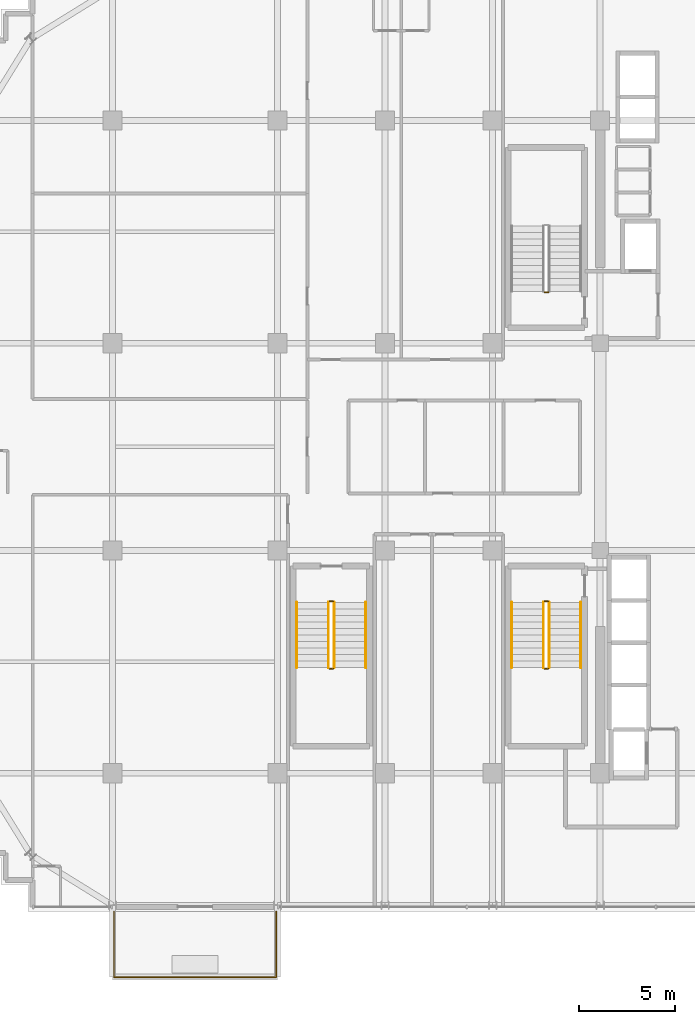
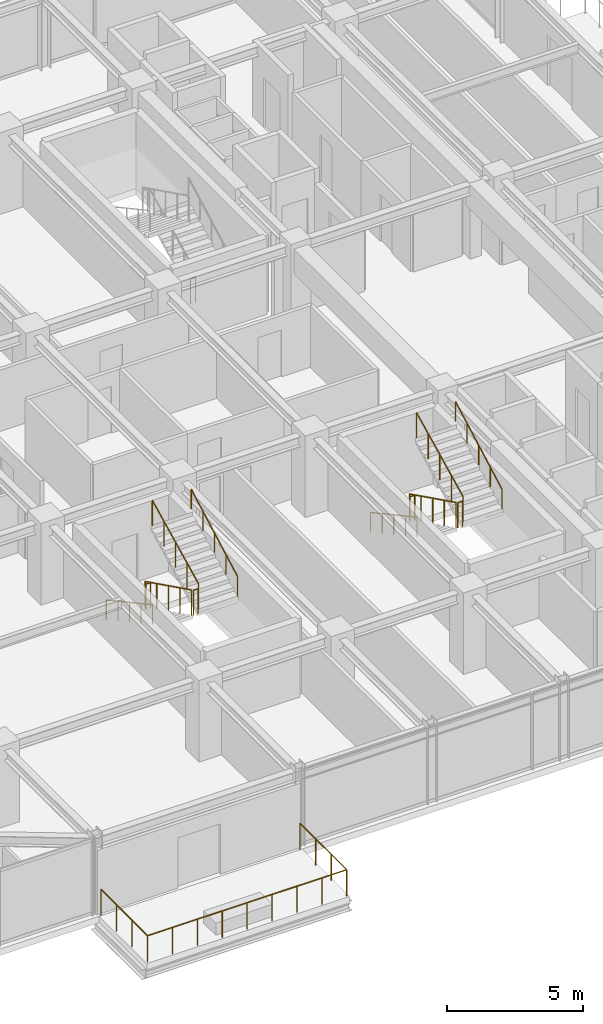
# One storey, part 34 of 36: 14 railings.
"""IFC4 building model written with IfcOpenShell, lengths in metres."""

from ifc_helpers import new_model, si_unit, direction, frame, origin, origin_2d, place, context, subcontext, project, spatial, circle, extrude, material, type_object, element, save


model = new_model("IFC4")

# Units and contexts
model_context = context("Model", 3, precision=1e-05, world=origin(), true_north=direction((0.0, 1.0)))
body_context = subcontext(model_context, "Body", "Model", "MODEL_VIEW")
ifc_project = project(units=[si_unit("LENGTHUNIT", "METRE"), si_unit("AREAUNIT", "SQUARE_METRE"), si_unit("VOLUMEUNIT", "CUBIC_METRE"), si_unit("PLANEANGLEUNIT", "RADIAN"), si_unit("MASSUNIT", "GRAM", prefix="KILO")], contexts=[model_context])

# Site, building, storey
site_placement = place(None, origin())
site = spatial("IfcSite", under=ifc_project, at=site_placement, CompositionType="ELEMENT")
building_placement = place(site_placement, origin())
building = spatial("IfcBuilding", under=site, at=building_placement, Name="Nahalor Promenade Grand Hotel", CompositionType="ELEMENT")
storey_placement = place(building_placement, frame((0.0, 0.0, 223.39990234375)))
storey = spatial("IfcBuildingStorey", under=building, at=storey_placement, Name="L57", CompositionType="ELEMENT", Elevation=223.39990234375)

# Railings
ifc_material_1 = material(Name="Anodised Bronze Aluminium EN AW-6063 T6", Category="aluminium")
railing_type_1 = type_object("IfcRailingType", Name="Bronze Balcony Guardrail 1200 mm", PredefinedType="GUARDRAIL", material=ifc_material_1)
railing_1_placement = place(storey_placement, frame((-16.919921875, -24.199951171875, 0.0)))
element("IfcRailing", 1, at=railing_1_placement, inside=storey, type_object=railing_type_1, Name="L57 Balcony Guardrail 1", PredefinedType="GUARDRAIL", context=body_context, shape_type="SweptSolid", body=[
    extrude(circle(Radius=0.024048, at=origin_2d()), frame((0.0, 0.0, 1.17578125), z_axis=(0.0, -1.0, 0.0), x_axis=(1.0, 0.0, 0.0)), (0.0, 0.0, 1.0), 3.418212890625),
    extrude(circle(Radius=0.024048, at=origin_2d()), frame((0.001953125, -3.420166015625, 1.17578125), z_axis=(1.0, 0.0, 0.0), x_axis=(0.0, 1.0, 0.0)), (0.0, 0.0, 1.0), 8.43603515625),
    extrude(circle(Radius=0.024048, at=origin_2d()), frame((8.43994140625, -3.418212890625, 1.17578125), z_axis=(0.0, 1.0, 0.0), x_axis=(-1.0, 0.0, 0.0)), (0.0, 0.0, 1.0), 3.418212890625),
    extrude(circle(Radius=0.020996, at=origin_2d()), origin(), (0.0, 0.0, 1.0), 1.14990234375),
    extrude(circle(Radius=0.020996, at=origin_2d()), frame((0.0, -1.14013671875, 0.0)), (0.0, 0.0, 1.0), 1.14990234375),
    extrude(circle(Radius=0.020996, at=origin_2d()), frame((0.0, -2.280029296875, 0.0)), (0.0, 0.0, 1.0), 1.14990234375),
    extrude(circle(Radius=0.020996, at=origin_2d()), frame((0.0, -3.420166015625, 0.0)), (0.0, 0.0, 1.0), 1.14990234375),
    extrude(circle(Radius=0.020996, at=origin_2d()), frame((1.054931640625, -3.420166015625, 0.0)), (0.0, 0.0, 1.0), 1.14990234375),
    extrude(circle(Radius=0.020996, at=origin_2d()), frame((2.10986328125, -3.420166015625, 0.0)), (0.0, 0.0, 1.0), 1.14990234375),
    extrude(circle(Radius=0.020996, at=origin_2d()), frame((3.1650390625, -3.420166015625, 0.0)), (0.0, 0.0, 1.0), 1.14990234375),
    extrude(circle(Radius=0.020996, at=origin_2d()), frame((4.219970703125, -3.420166015625, 0.0)), (0.0, 0.0, 1.0), 1.14990234375),
    extrude(circle(Radius=0.020996, at=origin_2d()), frame((5.27490234375, -3.420166015625, 0.0)), (0.0, 0.0, 1.0), 1.14990234375),
    extrude(circle(Radius=0.020996, at=origin_2d()), frame((6.330078125, -3.420166015625, 0.0)), (0.0, 0.0, 1.0), 1.14990234375),
    extrude(circle(Radius=0.020996, at=origin_2d()), frame((7.385009765625, -3.420166015625, 0.0)), (0.0, 0.0, 1.0), 1.14990234375),
    extrude(circle(Radius=0.020996, at=origin_2d()), frame((8.43994140625, -3.420166015625, 0.0)), (0.0, 0.0, 1.0), 1.14990234375),
    extrude(circle(Radius=0.020996, at=origin_2d()), frame((8.43994140625, -2.280029296875, 0.0)), (0.0, 0.0, 1.0), 1.14990234375),
    extrude(circle(Radius=0.020996, at=origin_2d()), frame((8.43994140625, -1.14013671875, 0.0)), (0.0, 0.0, 1.0), 1.14990234375),
    extrude(circle(Radius=0.020996, at=origin_2d()), frame((8.43994140625, 0.0, 0.0)), (0.0, 0.0, 1.0), 1.14990234375),
])
ifc_material_2 = material(Name="Steel S355JR", Category="steel")
railing_type_2 = type_object("IfcRailingType", Name="Steel Stair Guardrail 1150 mm", PredefinedType="GUARDRAIL", material=ifc_material_2)
railing_2_placement = place(storey_placement, frame((5.699951171875, 8.050048828125, 0.0)))
element("IfcRailing", 2, at=railing_2_placement, inside=storey, type_object=railing_type_2, Name="L57 ST1 stair guard 4", PredefinedType="GUARDRAIL", context=body_context, shape_type="SweptSolid", body=[
    extrude(circle(Radius=0.024048, at=origin_2d()), frame((0.0, 0.0, 1.1259765625), z_axis=(-1.0, 0.0, 0.0), x_axis=(0.0, -1.0, 0.0)), (0.0, 0.0, 1.0), 0.199951171875),
    extrude(circle(Radius=0.020996, at=origin_2d()), origin(), (0.0, 0.0, 1.0), 1.099853515625),
    extrude(circle(Radius=0.020996, at=origin_2d()), frame((-0.199951171875, 0.0, 0.0)), (0.0, 0.0, 1.0), 1.099853515625),
])
railing_3_placement = place(storey_placement, frame((5.449951171875, -8.10009765625, 0.168212890625)))
element("IfcRailing", 3, at=railing_3_placement, inside=storey, type_object=railing_type_2, Name="L57 ST2 stair guard 1", PredefinedType="GUARDRAIL", context=body_context, shape_type="SweptSolid", body=[
    extrude(circle(Radius=0.024048, at=origin_2d()), frame((0.0, 0.0, 1.1259765625), z_axis=(0.0, -0.896324230515, 0.443399226197), x_axis=(1.0, 0.0, 0.0)), (0.0, 0.0, 1.0), 3.793212890625),
    extrude(circle(Radius=0.020996, at=origin_2d()), origin(), (0.0, 0.0, 1.0), 1.099853515625),
    extrude(circle(Radius=0.020996, at=origin_2d()), frame((0.0, -0.85009765625, 0.42041015625)), (0.0, 0.0, 1.0), 1.099853515625),
    extrude(circle(Radius=0.020996, at=origin_2d()), frame((0.0, -1.699951171875, 0.8408203125)), (0.0, 0.0, 1.0), 1.099853515625),
    extrude(circle(Radius=0.020996, at=origin_2d()), frame((0.0, -2.5498046875, 1.261474609375)), (0.0, 0.0, 1.0), 1.099853515625),
    extrude(circle(Radius=0.020996, at=origin_2d()), frame((0.0, -3.39990234375, 1.681884765625)), (0.0, 0.0, 1.0), 1.099853515625),
])
railing_4_placement = place(storey_placement, frame((5.5, -11.550048828125, 1.85009765625)))
element("IfcRailing", 4, at=railing_4_placement, inside=storey, type_object=railing_type_2, Name="L57 ST2 stair guard 2", PredefinedType="GUARDRAIL", context=body_context, shape_type="SweptSolid", body=[
    extrude(circle(Radius=0.024048, at=origin_2d()), frame((0.0, 0.0, 1.1259765625), z_axis=(1.0, 0.0, 0.0), x_axis=(0.0, 1.0, 0.0)), (0.0, 0.0, 1.0), 0.199951171875),
    extrude(circle(Radius=0.020996, at=origin_2d()), origin(), (0.0, 0.0, 1.0), 1.099853515625),
    extrude(circle(Radius=0.020996, at=origin_2d()), frame((0.199951171875, 0.0, 0.0)), (0.0, 0.0, 1.0), 1.099853515625),
])
railing_5_placement = place(storey_placement, frame((5.75, -11.5, 2.018310546875)))
element("IfcRailing", 5, at=railing_5_placement, inside=storey, type_object=railing_type_2, Name="L57 ST2 stair guard 3", PredefinedType="GUARDRAIL", context=body_context, shape_type="SweptSolid", body=[
    extrude(circle(Radius=0.024048, at=origin_2d()), frame((0.0, 0.0, 1.1259765625), z_axis=(0.0, 0.896324230515, 0.443399226197), x_axis=(-1.0, 0.0, 0.0)), (0.0, 0.0, 1.0), 3.793212890625),
    extrude(circle(Radius=0.020996, at=origin_2d()), origin(), (0.0, 0.0, 1.0), 1.099853515625),
    extrude(circle(Radius=0.020996, at=origin_2d()), frame((0.0, 0.85009765625, 0.42041015625)), (0.0, 0.0, 1.0), 1.099853515625),
    extrude(circle(Radius=0.020996, at=origin_2d()), frame((0.0, 1.699951171875, 0.8408203125)), (0.0, 0.0, 1.0), 1.099853515625),
    extrude(circle(Radius=0.020996, at=origin_2d()), frame((0.0, 2.5498046875, 1.261474609375)), (0.0, 0.0, 1.0), 1.099853515625),
    extrude(circle(Radius=0.020996, at=origin_2d()), frame((0.0, 3.39990234375, 1.681884765625)), (0.0, 0.0, 1.0), 1.099853515625),
])
railing_6_placement = place(storey_placement, frame((5.5, -8.050048828125, 0.0)))
element("IfcRailing", 6, at=railing_6_placement, inside=storey, type_object=railing_type_2, Name="L57 ST2 stair guard 4", PredefinedType="GUARDRAIL", context=body_context, shape_type="SweptSolid", body=[
    extrude(circle(Radius=0.024048, at=origin_2d()), frame((0.0, 0.0, 1.1259765625), z_axis=(1.0, 0.0, 0.0), x_axis=(0.0, 1.0, 0.0)), (0.0, 0.0, 1.0), 0.199951171875),
    extrude(circle(Radius=0.020996, at=origin_2d()), origin(), (0.0, 0.0, 1.0), 1.099853515625),
    extrude(circle(Radius=0.020996, at=origin_2d()), frame((0.199951171875, 0.0, 0.0)), (0.0, 0.0, 1.0), 1.099853515625),
])
railing_7_placement = place(storey_placement, frame((-5.75, -8.10009765625, 0.168212890625)))
element("IfcRailing", 7, at=railing_7_placement, inside=storey, type_object=railing_type_2, Name="L57 ST3 stair guard 1", PredefinedType="GUARDRAIL", context=body_context, shape_type="SweptSolid", body=[
    extrude(circle(Radius=0.024048, at=origin_2d()), frame((0.0, 0.0, 1.1259765625), z_axis=(0.0, -0.896324230515, 0.443399226197), x_axis=(1.0, 0.0, 0.0)), (0.0, 0.0, 1.0), 3.793212890625),
    extrude(circle(Radius=0.020996, at=origin_2d()), origin(), (0.0, 0.0, 1.0), 1.099853515625),
    extrude(circle(Radius=0.020996, at=origin_2d()), frame((0.0, -0.85009765625, 0.42041015625)), (0.0, 0.0, 1.0), 1.099853515625),
    extrude(circle(Radius=0.020996, at=origin_2d()), frame((0.0, -1.699951171875, 0.8408203125)), (0.0, 0.0, 1.0), 1.099853515625),
    extrude(circle(Radius=0.020996, at=origin_2d()), frame((0.0, -2.5498046875, 1.261474609375)), (0.0, 0.0, 1.0), 1.099853515625),
    extrude(circle(Radius=0.020996, at=origin_2d()), frame((0.0, -3.39990234375, 1.681884765625)), (0.0, 0.0, 1.0), 1.099853515625),
])
railing_8_placement = place(storey_placement, frame((-5.699951171875, -11.550048828125, 1.85009765625)))
element("IfcRailing", 8, at=railing_8_placement, inside=storey, type_object=railing_type_2, Name="L57 ST3 stair guard 2", PredefinedType="GUARDRAIL", context=body_context, shape_type="SweptSolid", body=[
    extrude(circle(Radius=0.024048, at=origin_2d()), frame((0.0, 0.0, 1.1259765625), z_axis=(1.0, 0.0, 0.0), x_axis=(0.0, 1.0, 0.0)), (0.0, 0.0, 1.0), 0.199951171875),
    extrude(circle(Radius=0.020996, at=origin_2d()), origin(), (0.0, 0.0, 1.0), 1.099853515625),
    extrude(circle(Radius=0.020996, at=origin_2d()), frame((0.199951171875, 0.0, 0.0)), (0.0, 0.0, 1.0), 1.099853515625),
])
railing_9_placement = place(storey_placement, frame((-5.449951171875, -11.5, 2.018310546875)))
element("IfcRailing", 9, at=railing_9_placement, inside=storey, type_object=railing_type_2, Name="L57 ST3 stair guard 3", PredefinedType="GUARDRAIL", context=body_context, shape_type="SweptSolid", body=[
    extrude(circle(Radius=0.024048, at=origin_2d()), frame((0.0, 0.0, 1.1259765625), z_axis=(0.0, 0.896324230515, 0.443399226197), x_axis=(-1.0, 0.0, 0.0)), (0.0, 0.0, 1.0), 3.793212890625),
    extrude(circle(Radius=0.020996, at=origin_2d()), origin(), (0.0, 0.0, 1.0), 1.099853515625),
    extrude(circle(Radius=0.020996, at=origin_2d()), frame((0.0, 0.85009765625, 0.42041015625)), (0.0, 0.0, 1.0), 1.099853515625),
    extrude(circle(Radius=0.020996, at=origin_2d()), frame((0.0, 1.699951171875, 0.8408203125)), (0.0, 0.0, 1.0), 1.099853515625),
    extrude(circle(Radius=0.020996, at=origin_2d()), frame((0.0, 2.5498046875, 1.261474609375)), (0.0, 0.0, 1.0), 1.099853515625),
    extrude(circle(Radius=0.020996, at=origin_2d()), frame((0.0, 3.39990234375, 1.681884765625)), (0.0, 0.0, 1.0), 1.099853515625),
])
railing_10_placement = place(storey_placement, frame((-5.699951171875, -8.050048828125, 0.0)))
element("IfcRailing", 10, at=railing_10_placement, inside=storey, type_object=railing_type_2, Name="L57 ST3 stair guard 4", PredefinedType="GUARDRAIL", context=body_context, shape_type="SweptSolid", body=[
    extrude(circle(Radius=0.024048, at=origin_2d()), frame((0.0, 0.0, 1.1259765625), z_axis=(1.0, 0.0, 0.0), x_axis=(0.0, 1.0, 0.0)), (0.0, 0.0, 1.0), 0.199951171875),
    extrude(circle(Radius=0.020996, at=origin_2d()), origin(), (0.0, 0.0, 1.0), 1.099853515625),
    extrude(circle(Radius=0.020996, at=origin_2d()), frame((0.199951171875, 0.0, 0.0)), (0.0, 0.0, 1.0), 1.099853515625),
])
railing_type_3 = type_object("IfcRailingType", Name="Steel Stair Handrail 900 mm", PredefinedType="HANDRAIL", material=ifc_material_2)
railing_11_placement = place(storey_placement, frame((3.800048828125, -8.10009765625, 0.168212890625)))
element("IfcRailing", 11, at=railing_11_placement, inside=storey, type_object=railing_type_3, Name="L57 ST2 stair handrail 1", PredefinedType="HANDRAIL", context=body_context, shape_type="SweptSolid", body=[
    extrude(circle(Radius=0.024048, at=origin_2d()), frame((0.0, 0.0, 0.8759765625), z_axis=(0.0, -0.87837241229, 0.47797688786), x_axis=(1.0, 0.0, 0.0)), (0.0, 0.0, 1.0), 3.87060546875),
    extrude(circle(Radius=0.020996, at=origin_2d()), origin(), (0.0, 0.0, 1.0), 0.849853515625),
    extrude(circle(Radius=0.020996, at=origin_2d()), frame((0.0, -0.85009765625, 0.46240234375)), (0.0, 0.0, 1.0), 0.849853515625),
    extrude(circle(Radius=0.020996, at=origin_2d()), frame((0.0, -1.699951171875, 0.925048828125)), (0.0, 0.0, 1.0), 0.849853515625),
    extrude(circle(Radius=0.020996, at=origin_2d()), frame((0.0, -2.5498046875, 1.3876953125)), (0.0, 0.0, 1.0), 0.849853515625),
    extrude(circle(Radius=0.020996, at=origin_2d()), frame((0.0, -3.39990234375, 1.85009765625)), (0.0, 0.0, 1.0), 0.849853515625),
])
railing_12_placement = place(storey_placement, frame((7.39990234375, -11.5, 2.018310546875)))
element("IfcRailing", 12, at=railing_12_placement, inside=storey, type_object=railing_type_3, Name="L57 ST2 stair handrail 2", PredefinedType="HANDRAIL", context=body_context, shape_type="SweptSolid", body=[
    extrude(circle(Radius=0.024048, at=origin_2d()), frame((0.0, 0.0, 0.8759765625), z_axis=(0.0, 0.878398892953, 0.47792822145), x_axis=(-1.0, 0.0, 0.0)), (0.0, 0.0, 1.0), 3.87060546875),
    extrude(circle(Radius=0.020996, at=origin_2d()), origin(), (0.0, 0.0, 1.0), 0.849853515625),
    extrude(circle(Radius=0.020996, at=origin_2d()), frame((0.0, 0.85009765625, 0.46240234375)), (0.0, 0.0, 1.0), 0.849853515625),
    extrude(circle(Radius=0.020996, at=origin_2d()), frame((0.0, 1.699951171875, 0.9248046875)), (0.0, 0.0, 1.0), 0.849853515625),
    extrude(circle(Radius=0.020996, at=origin_2d()), frame((0.0, 2.5498046875, 1.387451171875)), (0.0, 0.0, 1.0), 0.849853515625),
    extrude(circle(Radius=0.020996, at=origin_2d()), frame((0.0, 3.39990234375, 1.849853515625)), (0.0, 0.0, 1.0), 0.849853515625),
])
railing_13_placement = place(storey_placement, frame((-7.39990234375, -8.10009765625, 0.168212890625)))
element("IfcRailing", 13, at=railing_13_placement, inside=storey, type_object=railing_type_3, Name="L57 ST3 stair handrail 1", PredefinedType="HANDRAIL", context=body_context, shape_type="SweptSolid", body=[
    extrude(circle(Radius=0.024048, at=origin_2d()), frame((0.0, 0.0, 0.8759765625), z_axis=(0.0, -0.87837241229, 0.47797688786), x_axis=(1.0, 0.0, 0.0)), (0.0, 0.0, 1.0), 3.87060546875),
    extrude(circle(Radius=0.020996, at=origin_2d()), origin(), (0.0, 0.0, 1.0), 0.849853515625),
    extrude(circle(Radius=0.020996, at=origin_2d()), frame((0.0, -0.85009765625, 0.46240234375)), (0.0, 0.0, 1.0), 0.849853515625),
    extrude(circle(Radius=0.020996, at=origin_2d()), frame((0.0, -1.699951171875, 0.925048828125)), (0.0, 0.0, 1.0), 0.849853515625),
    extrude(circle(Radius=0.020996, at=origin_2d()), frame((0.0, -2.5498046875, 1.3876953125)), (0.0, 0.0, 1.0), 0.849853515625),
    extrude(circle(Radius=0.020996, at=origin_2d()), frame((0.0, -3.39990234375, 1.85009765625)), (0.0, 0.0, 1.0), 0.849853515625),
])
railing_14_placement = place(storey_placement, frame((-3.800048828125, -11.5, 2.018310546875)))
element("IfcRailing", 14, at=railing_14_placement, inside=storey, type_object=railing_type_3, Name="L57 ST3 stair handrail 2", PredefinedType="HANDRAIL", context=body_context, shape_type="SweptSolid", body=[
    extrude(circle(Radius=0.024048, at=origin_2d()), frame((0.0, 0.0, 0.8759765625), z_axis=(0.0, 0.878398892953, 0.47792822145), x_axis=(-1.0, 0.0, 0.0)), (0.0, 0.0, 1.0), 3.87060546875),
    extrude(circle(Radius=0.020996, at=origin_2d()), origin(), (0.0, 0.0, 1.0), 0.849853515625),
    extrude(circle(Radius=0.020996, at=origin_2d()), frame((0.0, 0.85009765625, 0.46240234375)), (0.0, 0.0, 1.0), 0.849853515625),
    extrude(circle(Radius=0.020996, at=origin_2d()), frame((0.0, 1.699951171875, 0.9248046875)), (0.0, 0.0, 1.0), 0.849853515625),
    extrude(circle(Radius=0.020996, at=origin_2d()), frame((0.0, 2.5498046875, 1.387451171875)), (0.0, 0.0, 1.0), 0.849853515625),
    extrude(circle(Radius=0.020996, at=origin_2d()), frame((0.0, 3.39990234375, 1.849853515625)), (0.0, 0.0, 1.0), 0.849853515625),
])

save(model, "model.ifc")
